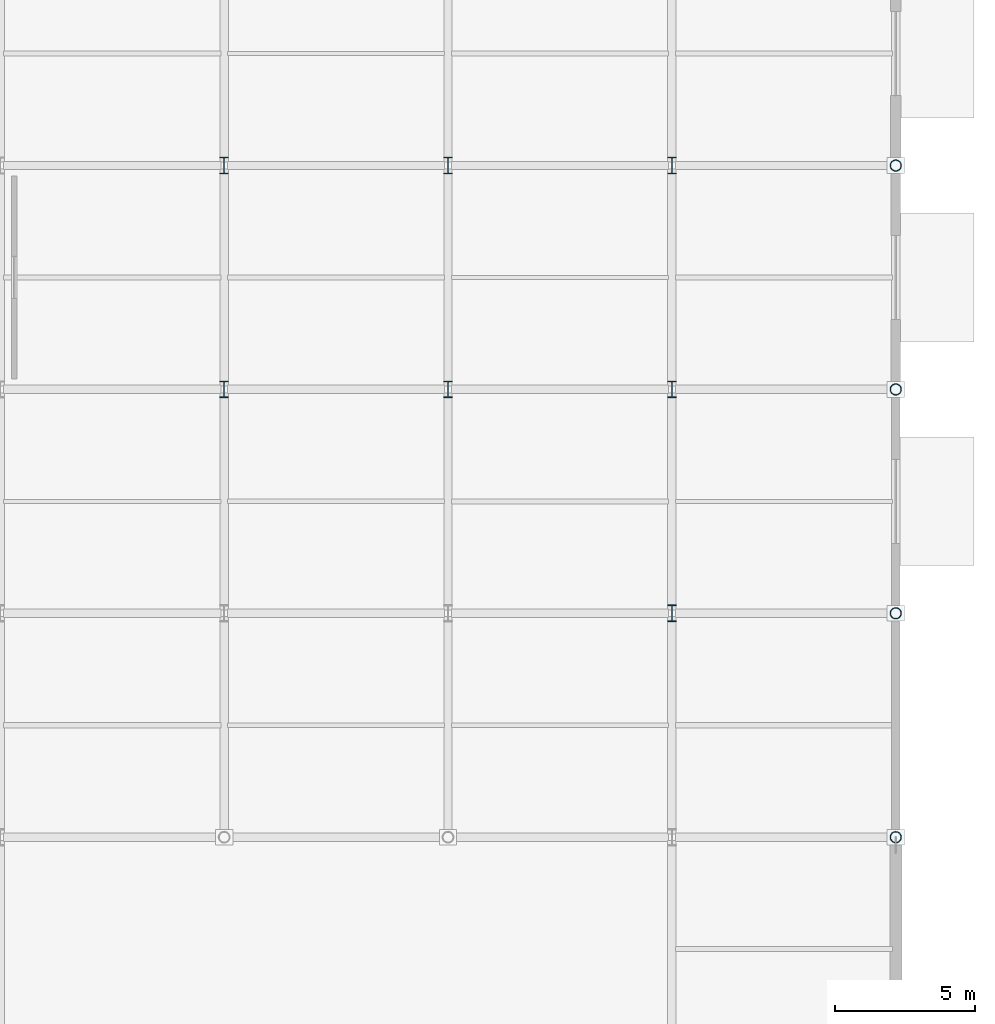
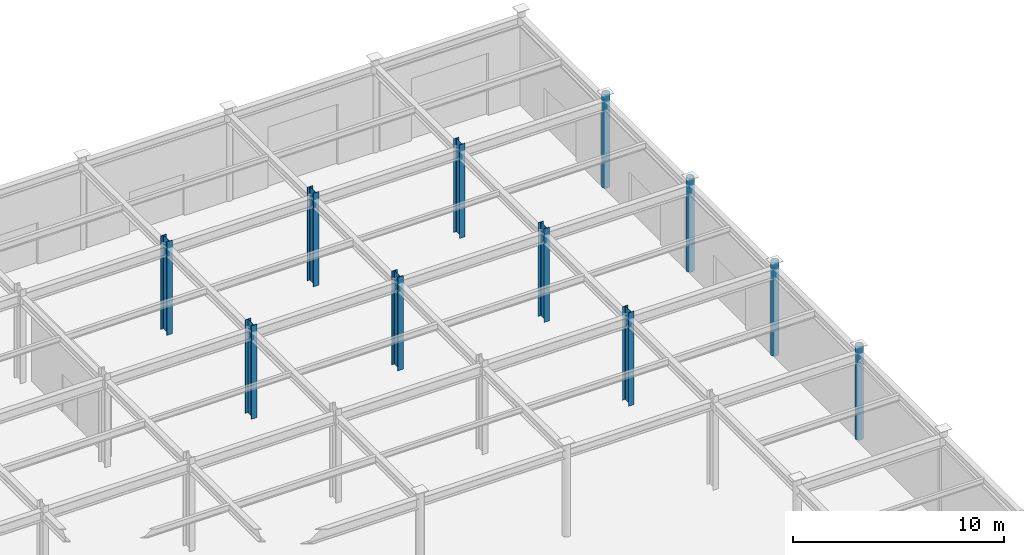
# One storey, part 8 of 39: 11 columns.
"""IFC4 building model written with IfcOpenShell, lengths in metres."""

from ifc_helpers import new_model, si_unit, direction, frame, origin, origin_2d, place, context, subcontext, project, spatial, hollow_circle, i_section, extrude, material, material_profile, profile_set, type_object, element, save


model = new_model("IFC4")

# Units and contexts
model_context = context("Model", 3, precision=1e-05, world=origin(), true_north=direction((0.0, 1.0)))
body_context = subcontext(model_context, "Body", "Model", "MODEL_VIEW")
ifc_project = project(units=[si_unit("LENGTHUNIT", "METRE"), si_unit("AREAUNIT", "SQUARE_METRE"), si_unit("VOLUMEUNIT", "CUBIC_METRE"), si_unit("PLANEANGLEUNIT", "RADIAN"), si_unit("MASSUNIT", "GRAM", prefix="KILO")], contexts=[model_context])

# Site, building, storey
site_placement = place(None, origin())
site = spatial("IfcSite", under=ifc_project, at=site_placement, CompositionType="ELEMENT")
building_placement = place(site_placement, origin())
building = spatial("IfcBuilding", under=site, at=building_placement, Name="Tazarka Park Arena", CompositionType="ELEMENT")
storey_placement = place(building_placement, origin())
storey = spatial("IfcBuildingStorey", under=building, at=storey_placement, Name="L00", CompositionType="ELEMENT", Elevation=0.0)

# Columns
ifc_material_1 = material(Name="Steel S355", Category="steel")
ifc_material_profile_1 = material_profile(ifc_material_1, i_section(OverallWidth=0.300048828125, OverallDepth=0.60009765625, WebThickness=0.015380859375, FlangeThickness=0.030029296875, FilletRadius=0.027099609375, at=origin_2d()), Name="Steel S355")
ifc_profile_set_1 = profile_set([ifc_material_profile_1], Name="Steel S355")
column_type_1 = type_object("IfcColumnType", Name="COL-SC-03", PredefinedType="COLUMN", material=ifc_profile_set_1)
for number, where, z_axis, x_axis, name in (
    (1, (160.0, 112.0, 0.0), (0.0, 0.0, 1.0), (1.0, 0.0, 0.0), "CLM-L00-20-14"),
    (2, (160.0, 120.0, 0.0), (0.0, 0.0, 1.0), (1.0, 0.0, 0.0), "CLM-L00-20-15"),
    (3, (168.0, 112.0, 0.0), (0.0, 0.0, 1.0), (1.0, 0.0, 0.0), "CLM-L00-21-14"),
    (4, (168.0, 120.0, 0.0), (0.0, 0.0, 1.0), (1.0, 0.0, 0.0), "CLM-L00-21-15"),
    (5, (176.0, 104.0, 0.0), (0.0, 0.0, 1.0), (1.0, 0.0, 0.0), "CLM-L00-22-13"),
    (6, (176.0, 112.0, 0.0), (0.0, 0.0, 1.0), (1.0, 0.0, 0.0), "CLM-L00-22-14"),
    (7, (176.0, 120.0, 0.0), (0.0, 0.0, 1.0), (1.0, 0.0, 0.0), "CLM-L00-22-15"),
):
    element("IfcColumn", number, at=place(storey_placement, frame(where, z_axis=z_axis, x_axis=x_axis)), inside=storey, type_object=column_type_1, Name=name, PredefinedType="COLUMN", context=body_context, shape_type="SweptSolid", body=[
        extrude(i_section(OverallWidth=0.300048828125, OverallDepth=0.60009765625, WebThickness=0.015380859375, FlangeThickness=0.030029296875, FilletRadius=0.027099609375, at=origin_2d()), origin(), (0.0, 0.0, 1.0), 5.39990234375),
    ])
ifc_material_2 = material(Name="Steel S355", Category="steel")
ifc_material_profile_2 = material_profile(ifc_material_2, hollow_circle(Radius=0.203125, WallThickness=0.02001953125, at=origin_2d()), Name="Steel S355")
ifc_profile_set_2 = profile_set([ifc_material_profile_2], Name="Steel S355")
column_type_2 = type_object("IfcColumnType", Name="COL-SC-04", PredefinedType="COLUMN", material=ifc_profile_set_2)
for number, where, z_axis, x_axis, name in (
    (8, (184.0, 96.0, 0.0), (0.0, 0.0, 1.0), (1.0, 0.0, 0.0), "CLM-L00-23-12"),
    (9, (184.0, 104.0, 0.0), (0.0, 0.0, 1.0), (1.0, 0.0, 0.0), "CLM-L00-23-13"),
    (10, (184.0, 112.0, 0.0), (0.0, 0.0, 1.0), (1.0, 0.0, 0.0), "CLM-L00-23-14"),
    (11, (184.0, 120.0, 0.0), (0.0, 0.0, 1.0), (1.0, 0.0, 0.0), "CLM-L00-23-15"),
):
    element("IfcColumn", number, at=place(storey_placement, frame(where, z_axis=z_axis, x_axis=x_axis)), inside=storey, type_object=column_type_2, Name=name, PredefinedType="COLUMN", context=body_context, shape_type="SweptSolid", body=[
        extrude(hollow_circle(Radius=0.203125, WallThickness=0.02001953125, at=origin_2d()), origin(), (0.0, 0.0, 1.0), 5.39990234375),
    ])

save(model, "model.ifc")
